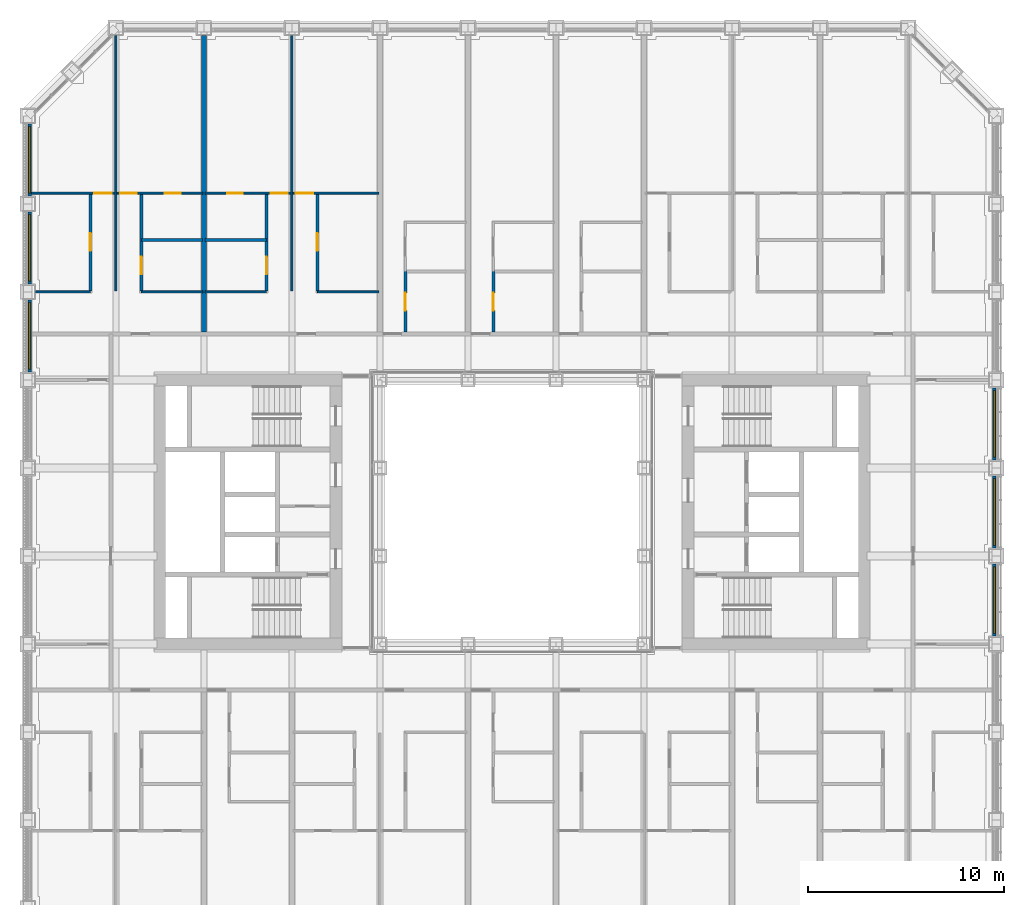
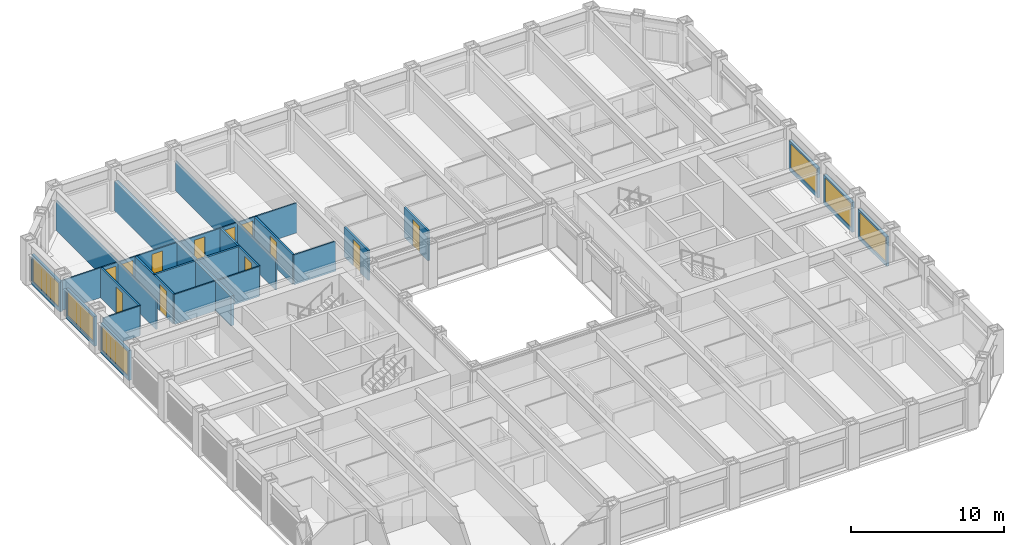
# One storey, part 13 of 21: 25 walls, 12 doors, 6 windows, 18 openings.
"""IFC4 building model written with IfcOpenShell, lengths in metres."""

from ifc_helpers import new_model, si_unit, direction, frame, frame_2d, origin, place, context, subcontext, project, spatial, rectangle, extrude, material, layer, layer_set, type_object, element, fill, save


model = new_model("IFC4")

# Units and contexts
model_context = context("Model", 3, precision=1e-05, world=origin(), true_north=direction((0.0, 1.0)))
body_context = subcontext(model_context, "Body", "Model", "MODEL_VIEW")
ifc_project = project(units=[si_unit("LENGTHUNIT", "METRE"), si_unit("AREAUNIT", "SQUARE_METRE"), si_unit("VOLUMEUNIT", "CUBIC_METRE"), si_unit("PLANEANGLEUNIT", "RADIAN"), si_unit("MASSUNIT", "GRAM", prefix="KILO")], contexts=[model_context])

# Site, building, storey
site_placement = place(None, origin())
site = spatial("IfcSite", under=ifc_project, at=site_placement, CompositionType="ELEMENT")
building_placement = place(site_placement, origin())
building = spatial("IfcBuilding", under=site, at=building_placement, Name="Msasa Ring Tower", CompositionType="ELEMENT")
storey_placement = place(building_placement, frame((0.0, 0.0, 40.5)))
storey = spatial("IfcBuildingStorey", under=building, at=storey_placement, Name="L09", CompositionType="ELEMENT", Elevation=40.5)

# Wall, opening, window
ifc_material_1 = material(Name="Terracotta rainscreen on blockwork", Category="masonry")
ifc_layer_1 = layer(ifc_material_1, 0.199951171875)
ifc_layer_set_1 = layer_set([ifc_layer_1], Name="FW1 TERRACOTTA-LINED INFILL BAY WALL 200")
wall_type_1 = type_object("IfcWallType", Name="FW1 TERRACOTTA-LINED INFILL BAY WALL 200", PredefinedType="SOLIDWALL", material=ifc_layer_set_1)
wall_1_placement = place(storey_placement, frame((24.64990234375, -6.344970703125, 0.0), z_axis=(0.0, 0.0, 1.0), x_axis=(0.0, 1.0, 0.0)))
wall_1 = element("IfcWall", 1, at=wall_1_placement, inside=storey, type_object=wall_type_1, Name="Infill bay wall E L09 14", PredefinedType="SOLIDWALL", context=body_context, shape_type="SweptSolid", body=[
    extrude(rectangle(XDim=3.68994140625, YDim=0.199951171875, at=frame_2d((1.844970703125, 0.0))), origin(), (0.0, 0.0, 1.0), 2.37890625),
])
opening_1_placement = place(wall_1_placement, frame((0.14501953125, 0.0, 0.300048828125)))
opening_1 = element("IfcOpeningElement", 2, at=opening_1_placement, cuts=wall_1, Name="Opening WN1", PredefinedType="OPENING", context=body_context, shape_type="SweptSolid", body=[
    extrude(rectangle(XDim=3.39990234375, YDim=1.928955078125, at=frame_2d((1.699951171875, 0.96435546875))), frame((0.0, 0.10986328125, 0.0), z_axis=(0.0, -1.0, 0.0), x_axis=(1.0, 0.0, 0.0)), (0.0, 0.0, 1.0), 0.219970703125),
])
ifc_material_2 = material(Name="Aluminium frame with clear glass", Category="aluminium")
window_type = type_object("IfcWindowType", Name="WN1 RESIDENCE WINDOW 3400x1929", PartitioningType="SINGLE_PANEL", PredefinedType="WINDOW", material=ifc_material_2)
window_1_placement = place(opening_1_placement, origin())
window_1 = element("IfcWindow", 3, at=window_1_placement, inside=storey, type_object=window_type, Name="Window E L09 14", OverallHeight=1.928955078125, OverallWidth=3.39990234375, PartitioningType="SINGLE_PANEL", PredefinedType="WINDOW", context=body_context, shape_type="SweptSolid", body=[
    extrude(rectangle(XDim=3.39990234375, YDim=1.928955078125, at=frame_2d((1.699951171875, 0.96435546875))), frame((0.0, 0.030029296875, 0.0), z_axis=(0.0, -1.0, 0.0), x_axis=(1.0, 0.0, 0.0)), (0.0, 0.0, 1.0), 0.06005859375),
])
fill(opening_1, window_1)

wall_2_placement = place(storey_placement, frame((24.64990234375, -1.844970703125, 0.0), z_axis=(0.0, 0.0, 1.0), x_axis=(0.0, 1.0, 0.0)))
wall_2 = element("IfcWall", 4, at=wall_2_placement, inside=storey, type_object=wall_type_1, Name="Infill bay wall E L09 15", PredefinedType="SOLIDWALL", context=body_context, shape_type="SweptSolid", body=[
    extrude(rectangle(XDim=3.68994140625, YDim=0.199951171875, at=frame_2d((1.844970703125, 0.0))), origin(), (0.0, 0.0, 1.0), 2.37890625),
])
opening_2_placement = place(wall_2_placement, frame((0.14501953125, 0.0, 0.300048828125)))
opening_2 = element("IfcOpeningElement", 5, at=opening_2_placement, cuts=wall_2, Name="Opening WN1", PredefinedType="OPENING", context=body_context, shape_type="SweptSolid", body=[
    extrude(rectangle(XDim=3.39990234375, YDim=1.928955078125, at=frame_2d((1.699951171875, 0.96435546875))), frame((0.0, 0.10986328125, 0.0), z_axis=(0.0, -1.0, 0.0), x_axis=(1.0, 0.0, 0.0)), (0.0, 0.0, 1.0), 0.219970703125),
])
window_2_placement = place(opening_2_placement, origin())
window_2 = element("IfcWindow", 6, at=window_2_placement, inside=storey, type_object=window_type, Name="Window E L09 15", OverallHeight=1.928955078125, OverallWidth=3.39990234375, PartitioningType="SINGLE_PANEL", PredefinedType="WINDOW", context=body_context, shape_type="SweptSolid", body=[
    extrude(rectangle(XDim=3.39990234375, YDim=1.928955078125, at=frame_2d((1.699951171875, 0.96435546875))), frame((0.0, 0.030029296875, 0.0), z_axis=(0.0, -1.0, 0.0), x_axis=(1.0, 0.0, 0.0)), (0.0, 0.0, 1.0), 0.06005859375),
])
fill(opening_2, window_2)

wall_3_placement = place(storey_placement, frame((24.64990234375, 2.655029296875, 0.0), z_axis=(0.0, 0.0, 1.0), x_axis=(0.0, 1.0, 0.0)))
wall_3 = element("IfcWall", 7, at=wall_3_placement, inside=storey, type_object=wall_type_1, Name="Infill bay wall E L09 16", PredefinedType="SOLIDWALL", context=body_context, shape_type="SweptSolid", body=[
    extrude(rectangle(XDim=3.68994140625, YDim=0.199951171875, at=frame_2d((1.844970703125, 0.0))), origin(), (0.0, 0.0, 1.0), 2.37890625),
])
opening_3_placement = place(wall_3_placement, frame((0.14501953125, 0.0, 0.300048828125)))
opening_3 = element("IfcOpeningElement", 8, at=opening_3_placement, cuts=wall_3, Name="Opening WN1", PredefinedType="OPENING", context=body_context, shape_type="SweptSolid", body=[
    extrude(rectangle(XDim=3.39990234375, YDim=1.928955078125, at=frame_2d((1.699951171875, 0.96435546875))), frame((0.0, 0.10986328125, 0.0), z_axis=(0.0, -1.0, 0.0), x_axis=(1.0, 0.0, 0.0)), (0.0, 0.0, 1.0), 0.219970703125),
])
window_3_placement = place(opening_3_placement, origin())
window_3 = element("IfcWindow", 9, at=window_3_placement, inside=storey, type_object=window_type, Name="Window E L09 16", OverallHeight=1.928955078125, OverallWidth=3.39990234375, PartitioningType="SINGLE_PANEL", PredefinedType="WINDOW", context=body_context, shape_type="SweptSolid", body=[
    extrude(rectangle(XDim=3.39990234375, YDim=1.928955078125, at=frame_2d((1.699951171875, 0.96435546875))), frame((0.0, 0.030029296875, 0.0), z_axis=(0.0, -1.0, 0.0), x_axis=(1.0, 0.0, 0.0)), (0.0, 0.0, 1.0), 0.06005859375),
])
fill(opening_3, window_3)

wall_4_placement = place(storey_placement, frame((-24.64990234375, 7.155029296875, 0.0), z_axis=(0.0, 0.0, 1.0), x_axis=(0.0, 1.0, 0.0)))
wall_4 = element("IfcWall", 10, at=wall_4_placement, inside=storey, type_object=wall_type_1, Name="Infill bay wall W L09 39", PredefinedType="SOLIDWALL", context=body_context, shape_type="SweptSolid", body=[
    extrude(rectangle(XDim=3.68994140625, YDim=0.199951171875, at=frame_2d((1.844970703125, 0.0))), origin(), (0.0, 0.0, 1.0), 2.37890625),
])
opening_4_placement = place(wall_4_placement, frame((0.14501953125, 0.0, 0.300048828125)))
opening_4 = element("IfcOpeningElement", 11, at=opening_4_placement, cuts=wall_4, Name="Opening WN1", PredefinedType="OPENING", context=body_context, shape_type="SweptSolid", body=[
    extrude(rectangle(XDim=3.39990234375, YDim=1.928955078125, at=frame_2d((1.699951171875, 0.96435546875))), frame((0.0, 0.10986328125, 0.0), z_axis=(0.0, -1.0, 0.0), x_axis=(1.0, 0.0, 0.0)), (0.0, 0.0, 1.0), 0.219970703125),
])
window_4_placement = place(opening_4_placement, origin())
window_4 = element("IfcWindow", 12, at=window_4_placement, inside=storey, type_object=window_type, Name="Window W L09 39", OverallHeight=1.928955078125, OverallWidth=3.39990234375, PartitioningType="SINGLE_PANEL", PredefinedType="WINDOW", context=body_context, shape_type="SweptSolid", body=[
    extrude(rectangle(XDim=3.39990234375, YDim=1.928955078125, at=frame_2d((1.699951171875, 0.96435546875))), frame((0.0, 0.030029296875, 0.0), z_axis=(0.0, -1.0, 0.0), x_axis=(1.0, 0.0, 0.0)), (0.0, 0.0, 1.0), 0.06005859375),
])
fill(opening_4, window_4)

wall_5_placement = place(storey_placement, frame((-24.64990234375, 11.655029296875, 0.0), z_axis=(0.0, 0.0, 1.0), x_axis=(0.0, 1.0, 0.0)))
wall_5 = element("IfcWall", 13, at=wall_5_placement, inside=storey, type_object=wall_type_1, Name="Infill bay wall W L09 40", PredefinedType="SOLIDWALL", context=body_context, shape_type="SweptSolid", body=[
    extrude(rectangle(XDim=3.68994140625, YDim=0.199951171875, at=frame_2d((1.844970703125, 0.0))), origin(), (0.0, 0.0, 1.0), 2.37890625),
])
opening_5_placement = place(wall_5_placement, frame((0.14501953125, 0.0, 0.300048828125)))
opening_5 = element("IfcOpeningElement", 14, at=opening_5_placement, cuts=wall_5, Name="Opening WN1", PredefinedType="OPENING", context=body_context, shape_type="SweptSolid", body=[
    extrude(rectangle(XDim=3.39990234375, YDim=1.928955078125, at=frame_2d((1.699951171875, 0.96435546875))), frame((0.0, 0.10986328125, 0.0), z_axis=(0.0, -1.0, 0.0), x_axis=(1.0, 0.0, 0.0)), (0.0, 0.0, 1.0), 0.219970703125),
])
window_5_placement = place(opening_5_placement, origin())
window_5 = element("IfcWindow", 15, at=window_5_placement, inside=storey, type_object=window_type, Name="Window W L09 40", OverallHeight=1.928955078125, OverallWidth=3.39990234375, PartitioningType="SINGLE_PANEL", PredefinedType="WINDOW", context=body_context, shape_type="SweptSolid", body=[
    extrude(rectangle(XDim=3.39990234375, YDim=1.928955078125, at=frame_2d((1.699951171875, 0.96435546875))), frame((0.0, 0.030029296875, 0.0), z_axis=(0.0, -1.0, 0.0), x_axis=(1.0, 0.0, 0.0)), (0.0, 0.0, 1.0), 0.06005859375),
])
fill(opening_5, window_5)

wall_6_placement = place(storey_placement, frame((-24.64990234375, 16.155029296875, 0.0), z_axis=(0.0, 0.0, 1.0), x_axis=(0.0, 1.0, 0.0)))
wall_6 = element("IfcWall", 16, at=wall_6_placement, inside=storey, type_object=wall_type_1, Name="Infill bay wall W L09 41", PredefinedType="SOLIDWALL", context=body_context, shape_type="SweptSolid", body=[
    extrude(rectangle(XDim=3.68994140625, YDim=0.199951171875, at=frame_2d((1.844970703125, 0.0))), origin(), (0.0, 0.0, 1.0), 2.37890625),
])
opening_6_placement = place(wall_6_placement, frame((0.14501953125, 0.0, 0.300048828125)))
opening_6 = element("IfcOpeningElement", 17, at=opening_6_placement, cuts=wall_6, Name="Opening WN1", PredefinedType="OPENING", context=body_context, shape_type="SweptSolid", body=[
    extrude(rectangle(XDim=3.39990234375, YDim=1.928955078125, at=frame_2d((1.699951171875, 0.96435546875))), frame((0.0, 0.10986328125, 0.0), z_axis=(0.0, -1.0, 0.0), x_axis=(1.0, 0.0, 0.0)), (0.0, 0.0, 1.0), 0.219970703125),
])
window_6_placement = place(opening_6_placement, origin())
window_6 = element("IfcWindow", 18, at=window_6_placement, inside=storey, type_object=window_type, Name="Window W L09 41", OverallHeight=1.928955078125, OverallWidth=3.39990234375, PartitioningType="SINGLE_PANEL", PredefinedType="WINDOW", context=body_context, shape_type="SweptSolid", body=[
    extrude(rectangle(XDim=3.39990234375, YDim=1.928955078125, at=frame_2d((1.699951171875, 0.96435546875))), frame((0.0, 0.030029296875, 0.0), z_axis=(0.0, -1.0, 0.0), x_axis=(1.0, 0.0, 0.0)), (0.0, 0.0, 1.0), 0.06005859375),
])
fill(opening_6, window_6)

# Wall
ifc_material_3 = material(Name="Gypsum board on steel studs", Category="steel")
ifc_layer_2 = layer(ifc_material_3, 0.10009765625)
ifc_layer_set_2 = layer_set([ifc_layer_2], Name="PT2 STUD PARTITION 100")
wall_type_2 = type_object("IfcWallType", Name="PT2 STUD PARTITION 100", PredefinedType="PARTITIONING", material=ifc_layer_set_2)
wall_7_placement = place(storey_placement, frame((-24.35009765625, 11.25, 0.0), z_axis=(0.0, 0.0, 1.0), x_axis=(1.0, 0.0, 0.0)))
element("IfcWall", 19, at=wall_7_placement, inside=storey, type_object=wall_type_2, Name="Partition L09-UN00HY0", PredefinedType="PARTITIONING", context=body_context, shape_type="SweptSolid", body=[
    extrude(rectangle(XDim=2.800048828125, YDim=0.10009765625, at=frame_2d((1.39990234375, 0.0))), origin(), (0.0, 0.0, 1.0), 2.373291015625),
])

# Wall, opening, door
wall_8_placement = place(storey_placement, frame((-24.550048828125, 16.300048828125, 0.0), z_axis=(0.0, 0.0, 1.0), x_axis=(1.0, 0.0, 0.0)))
wall_8 = element("IfcWall", 20, at=wall_8_placement, inside=storey, type_object=wall_type_2, Name="Partition L09-UN00SY0", PredefinedType="PARTITIONING", context=body_context, shape_type="SweptSolid", body=[
    extrude(rectangle(XDim=4.25, YDim=0.10009765625, at=frame_2d((2.125, 0.0))), origin(), (0.0, 0.0, 1.0), 2.373291015625),
])
opening_7_placement = place(wall_8_placement, frame((3.199951171875, 0.0, 0.0)))
opening_7 = element("IfcOpeningElement", 21, at=opening_7_placement, cuts=wall_8, Name="Opening RB-001", PredefinedType="OPENING", context=body_context, shape_type="SweptSolid", body=[
    extrude(rectangle(XDim=0.89990234375, YDim=2.10009765625, at=frame_2d((0.449951171875, 1.050048828125))), frame((0.0, 0.06005859375, 0.0), z_axis=(0.0, -1.0, 0.0), x_axis=(1.0, 0.0, 0.0)), (0.0, 0.0, 1.0), 0.1201171875),
])
ifc_material_4 = material(Name="Timber door leaf in a steel frame", Category="steel")
door_type_1 = type_object("IfcDoorType", Name="D22 INTERNAL HALL DOOR 900x2100", OperationType="SINGLE_SWING_LEFT", PredefinedType="DOOR", material=ifc_material_4)
door_1_placement = place(opening_7_placement, origin())
door_1 = element("IfcDoor", 22, at=door_1_placement, inside=storey, type_object=door_type_1, Name="Door L09-UN00L", OperationType="SINGLE_SWING_RIGHT", OverallHeight=2.10009765625, OverallWidth=0.89990234375, PredefinedType="DOOR", context=body_context, shape_type="SweptSolid", body=[
    extrude(rectangle(XDim=0.89990234375, YDim=2.10009765625, at=frame_2d((0.449951171875, 1.050048828125))), frame((0.0, 0.02490234375, 0.0), z_axis=(0.0, -1.0, 0.0), x_axis=(1.0, 0.0, 0.0)), (0.0, 0.0, 1.0), 0.050048828125),
])
fill(opening_7, door_1)

# Walls
wall_9_placement = place(storey_placement, frame((-20.25, 11.300048828125, 0.0), z_axis=(0.0, 0.0, 1.0), x_axis=(0.0, 1.0, 0.0)))
element("IfcWall", 23, at=wall_9_placement, inside=storey, type_object=wall_type_2, Name="Partition L09-UN00P1", PredefinedType="PARTITIONING", context=body_context, shape_type="SweptSolid", body=[
    extrude(rectangle(XDim=13.050048828125, YDim=0.10009765625, at=frame_2d((6.52490234375, 0.0))), origin(), (0.0, 0.0, 1.0), 2.373291015625),
])
wall_10_placement = place(storey_placement, frame((-18.949951171875, 11.25, 0.0), z_axis=(0.0, 0.0, 1.0), x_axis=(1.0, 0.0, 0.0)))
element("IfcWall", 24, at=wall_10_placement, inside=storey, type_object=wall_type_2, Name="Partition L09-UN00HY1", PredefinedType="PARTITIONING", context=body_context, shape_type="SweptSolid", body=[
    extrude(rectangle(XDim=3.139892578125, YDim=0.10009765625, at=frame_2d((1.56982421875, 0.0))), origin(), (0.0, 0.0, 1.0), 2.373291015625),
])

# Wall, openings, doors
wall_11_placement = place(storey_placement, frame((-20.199951171875, 16.300048828125, 0.0), z_axis=(0.0, 0.0, 1.0), x_axis=(1.0, 0.0, 0.0)))
wall_11 = element("IfcWall", 25, at=wall_11_placement, inside=storey, type_object=wall_type_2, Name="Partition L09-UN00SY1", PredefinedType="PARTITIONING", context=body_context, shape_type="SweptSolid", body=[
    extrude(rectangle(XDim=4.389892578125, YDim=0.10009765625, at=frame_2d((2.19482421875, 0.0))), origin(), (0.0, 0.0, 1.0), 2.373291015625),
])
opening_8_placement = place(wall_11_placement, frame((0.175048828125, 0.0, 0.0)))
opening_8 = element("IfcOpeningElement", 26, at=opening_8_placement, cuts=wall_11, Name="Opening RB-002", PredefinedType="OPENING", context=body_context, shape_type="SweptSolid", body=[
    extrude(rectangle(XDim=0.85009765625, YDim=2.10009765625, at=frame_2d((0.425048828125, 1.050048828125))), frame((0.0, 0.06005859375, 0.0), z_axis=(0.0, -1.0, 0.0), x_axis=(1.0, 0.0, 0.0)), (0.0, 0.0, 1.0), 0.1201171875),
])
opening_9_placement = place(wall_11_placement, frame((2.4599609375, 0.0, 0.0)))
opening_9 = element("IfcOpeningElement", 27, at=opening_9_placement, cuts=wall_11, Name="Opening RB-003", PredefinedType="OPENING", context=body_context, shape_type="SweptSolid", body=[
    extrude(rectangle(XDim=0.800048828125, YDim=2.10009765625, at=frame_2d((0.39990234375, 1.050048828125))), frame((0.0, 0.06005859375, 0.0), z_axis=(0.0, -1.0, 0.0), x_axis=(1.0, 0.0, 0.0)), (0.0, 0.0, 1.0), 0.1201171875),
])
ifc_material_5 = material(Name="Timber door leaf in a steel frame", Category="steel")
door_type_2 = type_object("IfcDoorType", Name="D14 BEDROOM DOOR 850x2100", OperationType="SINGLE_SWING_LEFT", PredefinedType="DOOR", material=ifc_material_5)
door_2_placement = place(opening_8_placement, origin())
door_2 = element("IfcDoor", 28, at=door_2_placement, inside=storey, type_object=door_type_2, Name="Door L09-UN00R1", OperationType="SINGLE_SWING_LEFT", OverallHeight=2.10009765625, OverallWidth=0.85009765625, PredefinedType="DOOR", context=body_context, shape_type="SweptSolid", body=[
    extrude(rectangle(XDim=0.85009765625, YDim=2.10009765625, at=frame_2d((0.425048828125, 1.050048828125))), frame((0.0, 0.02490234375, 0.0), z_axis=(0.0, -1.0, 0.0), x_axis=(1.0, 0.0, 0.0)), (0.0, 0.0, 1.0), 0.050048828125),
])
fill(opening_8, door_2)
ifc_material_6 = material(Name="Timber door leaf in a steel frame", Category="steel")
door_type_3 = type_object("IfcDoorType", Name="D60 DRESSING ROOM DOOR 800x2100", OperationType="SINGLE_SWING_LEFT", PredefinedType="DOOR", material=ifc_material_6)
door_3_placement = place(opening_9_placement, origin())
door_3 = element("IfcDoor", 29, at=door_3_placement, inside=storey, type_object=door_type_3, Name="Door L09-UN00W1", OperationType="SINGLE_SWING_RIGHT", OverallHeight=2.10009765625, OverallWidth=0.800048828125, PredefinedType="DOOR", context=body_context, shape_type="SweptSolid", body=[
    extrude(rectangle(XDim=0.800048828125, YDim=2.10009765625, at=frame_2d((0.39990234375, 1.050048828125))), frame((0.0, 0.02490234375, 0.0), z_axis=(0.0, -1.0, 0.0), x_axis=(1.0, 0.0, 0.0)), (0.0, 0.0, 1.0), 0.050048828125),
])
fill(opening_9, door_3)

# Wall
wall_12_placement = place(storey_placement, frame((-9.949951171875, 11.25, 0.0), z_axis=(0.0, 0.0, 1.0), x_axis=(1.0, 0.0, 0.0)))
element("IfcWall", 30, at=wall_12_placement, inside=storey, type_object=wall_type_2, Name="Partition L09-UN01HY0", PredefinedType="PARTITIONING", context=body_context, shape_type="SweptSolid", body=[
    extrude(rectangle(XDim=3.139892578125, YDim=0.10009765625, at=frame_2d((1.56982421875, 0.0))), origin(), (0.0, 0.0, 1.0), 2.373291015625),
])

# Wall, opening, door
wall_13_placement = place(storey_placement, frame((-11.199951171875, 16.300048828125, 0.0), z_axis=(0.0, 0.0, 1.0), x_axis=(1.0, 0.0, 0.0)))
wall_13 = element("IfcWall", 31, at=wall_13_placement, inside=storey, type_object=wall_type_2, Name="Partition L09-UN01SY0", PredefinedType="PARTITIONING", context=body_context, shape_type="SweptSolid", body=[
    extrude(rectangle(XDim=4.389892578125, YDim=0.10009765625, at=frame_2d((2.19482421875, 0.0))), origin(), (0.0, 0.0, 1.0), 2.373291015625),
])
opening_10_placement = place(wall_13_placement, frame((0.14990234375, 0.0, 0.0)))
opening_10 = element("IfcOpeningElement", 32, at=opening_10_placement, cuts=wall_13, Name="Opening RB-006", PredefinedType="OPENING", context=body_context, shape_type="SweptSolid", body=[
    extrude(rectangle(XDim=0.89990234375, YDim=2.10009765625, at=frame_2d((0.449951171875, 1.050048828125))), frame((0.0, 0.06005859375, 0.0), z_axis=(0.0, -1.0, 0.0), x_axis=(1.0, 0.0, 0.0)), (0.0, 0.0, 1.0), 0.1201171875),
])
door_4_placement = place(opening_10_placement, origin())
door_4 = element("IfcDoor", 33, at=door_4_placement, inside=storey, type_object=door_type_1, Name="Door L09-UN01L", OperationType="SINGLE_SWING_LEFT", OverallHeight=2.10009765625, OverallWidth=0.89990234375, PredefinedType="DOOR", context=body_context, shape_type="SweptSolid", body=[
    extrude(rectangle(XDim=0.89990234375, YDim=2.10009765625, at=frame_2d((0.449951171875, 1.050048828125))), frame((0.0, 0.02490234375, 0.0), z_axis=(0.0, -1.0, 0.0), x_axis=(1.0, 0.0, 0.0)), (0.0, 0.0, 1.0), 0.050048828125),
])
fill(opening_10, door_4)

# Walls
wall_14_placement = place(storey_placement, frame((-11.25, 11.300048828125, 0.0), z_axis=(0.0, 0.0, 1.0), x_axis=(0.0, 1.0, 0.0)))
element("IfcWall", 34, at=wall_14_placement, inside=storey, type_object=wall_type_2, Name="Partition L09-UN01P1", PredefinedType="PARTITIONING", context=body_context, shape_type="SweptSolid", body=[
    extrude(rectangle(XDim=13.050048828125, YDim=0.10009765625, at=frame_2d((6.52490234375, 0.0))), origin(), (0.0, 0.0, 1.0), 2.373291015625),
])
wall_15_placement = place(storey_placement, frame((-15.68994140625, 11.25, 0.0), z_axis=(0.0, 0.0, 1.0), x_axis=(1.0, 0.0, 0.0)))
element("IfcWall", 35, at=wall_15_placement, inside=storey, type_object=wall_type_2, Name="Partition L09-UN01HY1", PredefinedType="PARTITIONING", context=body_context, shape_type="SweptSolid", body=[
    extrude(rectangle(XDim=3.139892578125, YDim=0.10009765625, at=frame_2d((1.56982421875, 0.0))), origin(), (0.0, 0.0, 1.0), 2.373291015625),
])

# Wall, openings, doors
wall_16_placement = place(storey_placement, frame((-15.68994140625, 16.300048828125, 0.0), z_axis=(0.0, 0.0, 1.0), x_axis=(1.0, 0.0, 0.0)))
wall_16 = element("IfcWall", 36, at=wall_16_placement, inside=storey, type_object=wall_type_2, Name="Partition L09-UN01SY1", PredefinedType="PARTITIONING", context=body_context, shape_type="SweptSolid", body=[
    extrude(rectangle(XDim=4.389892578125, YDim=0.10009765625, at=frame_2d((2.19482421875, 0.0))), origin(), (0.0, 0.0, 1.0), 2.373291015625),
])
opening_11_placement = place(wall_16_placement, frame((3.364990234375, 0.0, 0.0)))
opening_11 = element("IfcOpeningElement", 37, at=opening_11_placement, cuts=wall_16, Name="Opening RB-005", PredefinedType="OPENING", context=body_context, shape_type="SweptSolid", body=[
    extrude(rectangle(XDim=0.85009765625, YDim=2.10009765625, at=frame_2d((0.425048828125, 1.050048828125))), frame((0.0, 0.06005859375, 0.0), z_axis=(0.0, -1.0, 0.0), x_axis=(1.0, 0.0, 0.0)), (0.0, 0.0, 1.0), 0.1201171875),
])
opening_12_placement = place(wall_16_placement, frame((1.1298828125, 0.0, 0.0)))
opening_12 = element("IfcOpeningElement", 38, at=opening_12_placement, cuts=wall_16, Name="Opening RB-004", PredefinedType="OPENING", context=body_context, shape_type="SweptSolid", body=[
    extrude(rectangle(XDim=0.800048828125, YDim=2.10009765625, at=frame_2d((0.39990234375, 1.050048828125))), frame((0.0, 0.06005859375, 0.0), z_axis=(0.0, -1.0, 0.0), x_axis=(1.0, 0.0, 0.0)), (0.0, 0.0, 1.0), 0.1201171875),
])
door_5_placement = place(opening_11_placement, origin())
door_5 = element("IfcDoor", 39, at=door_5_placement, inside=storey, type_object=door_type_2, Name="Door L09-UN01R1", OperationType="SINGLE_SWING_RIGHT", OverallHeight=2.10009765625, OverallWidth=0.85009765625, PredefinedType="DOOR", context=body_context, shape_type="SweptSolid", body=[
    extrude(rectangle(XDim=0.85009765625, YDim=2.10009765625, at=frame_2d((0.425048828125, 1.050048828125))), frame((0.0, 0.02490234375, 0.0), z_axis=(0.0, -1.0, 0.0), x_axis=(1.0, 0.0, 0.0)), (0.0, 0.0, 1.0), 0.050048828125),
])
fill(opening_11, door_5)
door_6_placement = place(opening_12_placement, origin())
door_6 = element("IfcDoor", 40, at=door_6_placement, inside=storey, type_object=door_type_3, Name="Door L09-UN01W1", OperationType="SINGLE_SWING_LEFT", OverallHeight=2.10009765625, OverallWidth=0.800048828125, PredefinedType="DOOR", context=body_context, shape_type="SweptSolid", body=[
    extrude(rectangle(XDim=0.800048828125, YDim=2.10009765625, at=frame_2d((0.39990234375, 1.050048828125))), frame((0.0, 0.02490234375, 0.0), z_axis=(0.0, -1.0, 0.0), x_axis=(1.0, 0.0, 0.0)), (0.0, 0.0, 1.0), 0.050048828125),
])
fill(opening_12, door_6)

# Wall
ifc_material_7 = material(Name="Dense concrete blockwork, plastered both faces", Category="masonry")
ifc_layer_3 = layer(ifc_material_7, 0.25)
ifc_layer_set_3 = layer_set([ifc_layer_3], Name="PT3 APARTMENT SEPARATING WALL 250")
wall_type_3 = type_object("IfcWallType", Name="PT3 APARTMENT SEPARATING WALL 250", PredefinedType="PARTITIONING", material=ifc_layer_set_3)
wall_17_placement = place(storey_placement, frame((-15.75, 9.199951171875, 0.0), z_axis=(0.0, 0.0, 1.0), x_axis=(0.0, 1.0, 0.0)))
element("IfcWall", 41, at=wall_17_placement, inside=storey, type_object=wall_type_3, Name="Party wall L09-PWN-15.75", PredefinedType="PARTITIONING", context=body_context, shape_type="SweptSolid", body=[
    extrude(rectangle(XDim=15.150146484375, YDim=0.25, at=frame_2d((7.5751953125, 0.0))), origin(), (0.0, 0.0, 1.0), 2.373291015625),
])

# Wall, opening, door
ifc_material_8 = material(Name="Moisture-resistant board on steel studs with a concealed cistern and pipe void, tiled", Category="steel")
ifc_layer_4 = layer(ifc_material_8, 0.14990234375)
ifc_layer_set_4 = layer_set([ifc_layer_4], Name="PT4 BATHROOM WET WALL 150")
wall_type_4 = type_object("IfcWallType", Name="PT4 BATHROOM WET WALL 150", PredefinedType="PARTITIONING", material=ifc_layer_set_4)
wall_18_placement = place(storey_placement, frame((-21.550048828125, 11.300048828125, 0.0), z_axis=(0.0, 0.0, 1.0), x_axis=(0.0, 1.0, 0.0)))
wall_18 = element("IfcWall", 42, at=wall_18_placement, inside=storey, type_object=wall_type_4, Name="Partition L09-UN00SX0", PredefinedType="PARTITIONING", context=body_context, shape_type="SweptSolid", body=[
    extrude(rectangle(XDim=5.0, YDim=0.14990234375, at=frame_2d((2.5, 0.0))), origin(), (0.0, 0.0, 1.0), 2.373291015625),
])
opening_13_placement = place(wall_18_placement, frame((2.050048828125, 0.0, 0.0)))
opening_13 = element("IfcOpeningElement", 43, at=opening_13_placement, cuts=wall_18, Name="Opening RB-013", PredefinedType="OPENING", context=body_context, shape_type="SweptSolid", body=[
    extrude(rectangle(XDim=0.89990234375, YDim=2.10009765625, at=frame_2d((0.449951171875, 1.050048828125))), frame((0.0, 0.0849609375, 0.0), z_axis=(0.0, -1.0, 0.0), x_axis=(1.0, 0.0, 0.0)), (0.0, 0.0, 1.0), 0.169921875),
])
door_7_placement = place(opening_13_placement, origin())
door_7 = element("IfcDoor", 44, at=door_7_placement, inside=storey, type_object=door_type_1, Name="Door L09-UN00K", OperationType="SINGLE_SWING_LEFT", OverallHeight=2.10009765625, OverallWidth=0.89990234375, PredefinedType="DOOR", context=body_context, shape_type="SweptSolid", body=[
    extrude(rectangle(XDim=0.89990234375, YDim=2.10009765625, at=frame_2d((0.449951171875, 1.050048828125))), frame((0.0, 0.02490234375, 0.0), z_axis=(0.0, -1.0, 0.0), x_axis=(1.0, 0.0, 0.0)), (0.0, 0.0, 1.0), 0.050048828125),
])
fill(opening_13, door_7)

wall_19_placement = place(storey_placement, frame((-18.949951171875, 11.300048828125, 0.0), z_axis=(0.0, 0.0, 1.0), x_axis=(0.0, 1.0, 0.0)))
wall_19 = element("IfcWall", 45, at=wall_19_placement, inside=storey, type_object=wall_type_4, Name="Partition L09-UN00SX1", PredefinedType="PARTITIONING", context=body_context, shape_type="SweptSolid", body=[
    extrude(rectangle(XDim=5.0, YDim=0.14990234375, at=frame_2d((2.5, 0.0))), origin(), (0.0, 0.0, 1.0), 2.373291015625),
])
opening_14_placement = place(wall_19_placement, frame((0.85009765625, 0.0, 0.0)))
opening_14 = element("IfcOpeningElement", 46, at=opening_14_placement, cuts=wall_19, Name="Opening RB-020", PredefinedType="OPENING", context=body_context, shape_type="SweptSolid", body=[
    extrude(rectangle(XDim=0.89990234375, YDim=2.10009765625, at=frame_2d((0.449951171875, 1.050048828125))), frame((0.0, 0.0849609375, 0.0), z_axis=(0.0, -1.0, 0.0), x_axis=(1.0, 0.0, 0.0)), (0.0, 0.0, 1.0), 0.169921875),
])
ifc_material_9 = material(Name="Timber door leaf in a steel frame", Category="steel")
door_type_4 = type_object("IfcDoorType", Name="D3 BATHROOM DOOR 900x2100", OperationType="SINGLE_SWING_LEFT", PredefinedType="DOOR", material=ifc_material_9)
door_8_placement = place(opening_14_placement, origin())
door_8 = element("IfcDoor", 47, at=door_8_placement, inside=storey, type_object=door_type_4, Name="Door L09-UN00B1", OperationType="SINGLE_SWING_LEFT", OverallHeight=2.10009765625, OverallWidth=0.89990234375, PredefinedType="DOOR", context=body_context, shape_type="SweptSolid", body=[
    extrude(rectangle(XDim=0.89990234375, YDim=2.10009765625, at=frame_2d((0.449951171875, 1.050048828125))), frame((0.0, 0.02490234375, 0.0), z_axis=(0.0, -1.0, 0.0), x_axis=(1.0, 0.0, 0.0)), (0.0, 0.0, 1.0), 0.050048828125),
])
fill(opening_14, door_8)

# Wall
wall_20_placement = place(storey_placement, frame((-18.949951171875, 13.89990234375, 0.0), z_axis=(0.0, 0.0, 1.0), x_axis=(1.0, 0.0, 0.0)))
element("IfcWall", 48, at=wall_20_placement, inside=storey, type_object=wall_type_4, Name="Partition L09-UN00SB1", PredefinedType="PARTITIONING", context=body_context, shape_type="SweptSolid", body=[
    extrude(rectangle(XDim=3.139892578125, YDim=0.14990234375, at=frame_2d((1.56982421875, 0.0))), origin(), (0.0, 0.0, 1.0), 2.373291015625),
])

# Wall, opening, door
wall_21_placement = place(storey_placement, frame((-9.949951171875, 11.300048828125, 0.0), z_axis=(0.0, 0.0, 1.0), x_axis=(0.0, 1.0, 0.0)))
wall_21 = element("IfcWall", 49, at=wall_21_placement, inside=storey, type_object=wall_type_4, Name="Partition L09-UN01SX0", PredefinedType="PARTITIONING", context=body_context, shape_type="SweptSolid", body=[
    extrude(rectangle(XDim=5.0, YDim=0.14990234375, at=frame_2d((2.5, 0.0))), origin(), (0.0, 0.0, 1.0), 2.373291015625),
])
opening_15_placement = place(wall_21_placement, frame((2.050048828125, 0.0, 0.0)))
opening_15 = element("IfcOpeningElement", 50, at=opening_15_placement, cuts=wall_21, Name="Opening RB-014", PredefinedType="OPENING", context=body_context, shape_type="SweptSolid", body=[
    extrude(rectangle(XDim=0.89990234375, YDim=2.10009765625, at=frame_2d((0.449951171875, 1.050048828125))), frame((0.0, 0.0849609375, 0.0), z_axis=(0.0, -1.0, 0.0), x_axis=(1.0, 0.0, 0.0)), (0.0, 0.0, 1.0), 0.169921875),
])
door_9_placement = place(opening_15_placement, origin())
door_9 = element("IfcDoor", 51, at=door_9_placement, inside=storey, type_object=door_type_1, Name="Door L09-UN01K", OperationType="SINGLE_SWING_LEFT", OverallHeight=2.10009765625, OverallWidth=0.89990234375, PredefinedType="DOOR", context=body_context, shape_type="SweptSolid", body=[
    extrude(rectangle(XDim=0.89990234375, YDim=2.10009765625, at=frame_2d((0.449951171875, 1.050048828125))), frame((0.0, 0.02490234375, 0.0), z_axis=(0.0, -1.0, 0.0), x_axis=(1.0, 0.0, 0.0)), (0.0, 0.0, 1.0), 0.050048828125),
])
fill(opening_15, door_9)

wall_22_placement = place(storey_placement, frame((-12.550048828125, 11.300048828125, 0.0), z_axis=(0.0, 0.0, 1.0), x_axis=(0.0, 1.0, 0.0)))
wall_22 = element("IfcWall", 52, at=wall_22_placement, inside=storey, type_object=wall_type_4, Name="Partition L09-UN01SX1", PredefinedType="PARTITIONING", context=body_context, shape_type="SweptSolid", body=[
    extrude(rectangle(XDim=5.0, YDim=0.14990234375, at=frame_2d((2.5, 0.0))), origin(), (0.0, 0.0, 1.0), 2.373291015625),
])
opening_16_placement = place(wall_22_placement, frame((0.85009765625, 0.0, 0.0)))
opening_16 = element("IfcOpeningElement", 53, at=opening_16_placement, cuts=wall_22, Name="Opening RB-021", PredefinedType="OPENING", context=body_context, shape_type="SweptSolid", body=[
    extrude(rectangle(XDim=0.89990234375, YDim=2.10009765625, at=frame_2d((0.449951171875, 1.050048828125))), frame((0.0, 0.0849609375, 0.0), z_axis=(0.0, -1.0, 0.0), x_axis=(1.0, 0.0, 0.0)), (0.0, 0.0, 1.0), 0.169921875),
])
door_10_placement = place(opening_16_placement, origin())
door_10 = element("IfcDoor", 54, at=door_10_placement, inside=storey, type_object=door_type_4, Name="Door L09-UN01B1", OperationType="SINGLE_SWING_LEFT", OverallHeight=2.10009765625, OverallWidth=0.89990234375, PredefinedType="DOOR", context=body_context, shape_type="SweptSolid", body=[
    extrude(rectangle(XDim=0.89990234375, YDim=2.10009765625, at=frame_2d((0.449951171875, 1.050048828125))), frame((0.0, 0.02490234375, 0.0), z_axis=(0.0, -1.0, 0.0), x_axis=(1.0, 0.0, 0.0)), (0.0, 0.0, 1.0), 0.050048828125),
])
fill(opening_16, door_10)

# Wall
wall_23_placement = place(storey_placement, frame((-15.68994140625, 13.89990234375, 0.0), z_axis=(0.0, 0.0, 1.0), x_axis=(1.0, 0.0, 0.0)))
element("IfcWall", 55, at=wall_23_placement, inside=storey, type_object=wall_type_4, Name="Partition L09-UN01SB1", PredefinedType="PARTITIONING", context=body_context, shape_type="SweptSolid", body=[
    extrude(rectangle(XDim=3.139892578125, YDim=0.14990234375, at=frame_2d((1.56982421875, 0.0))), origin(), (0.0, 0.0, 1.0), 2.373291015625),
])

# Wall, opening, door
wall_24_placement = place(storey_placement, frame((-5.449951171875, 9.199951171875, 0.0), z_axis=(0.0, 0.0, 1.0), x_axis=(0.0, 1.0, 0.0)))
wall_24 = element("IfcWall", 56, at=wall_24_placement, inside=storey, type_object=wall_type_4, Name="Partition L09-UN02BX", PredefinedType="PARTITIONING", context=body_context, shape_type="SweptSolid", body=[
    extrude(rectangle(XDim=3.150146484375, YDim=0.14990234375, at=frame_2d((1.5751953125, 0.0))), origin(), (0.0, 0.0, 1.0), 2.373291015625),
])
opening_17_placement = place(wall_24_placement, frame((1.10009765625, 0.0, 0.0)))
opening_17 = element("IfcOpeningElement", 57, at=opening_17_placement, cuts=wall_24, Name="Opening RB-024", PredefinedType="OPENING", context=body_context, shape_type="SweptSolid", body=[
    extrude(rectangle(XDim=0.89990234375, YDim=2.10009765625, at=frame_2d((0.449951171875, 1.050048828125))), frame((0.0, 0.0849609375, 0.0), z_axis=(0.0, -1.0, 0.0), x_axis=(1.0, 0.0, 0.0)), (0.0, 0.0, 1.0), 0.169921875),
])
door_11_placement = place(opening_17_placement, origin())
door_11 = element("IfcDoor", 58, at=door_11_placement, inside=storey, type_object=door_type_4, Name="Door L09-UN02B", OperationType="SINGLE_SWING_LEFT", OverallHeight=2.10009765625, OverallWidth=0.89990234375, PredefinedType="DOOR", context=body_context, shape_type="SweptSolid", body=[
    extrude(rectangle(XDim=0.89990234375, YDim=2.10009765625, at=frame_2d((0.449951171875, 1.050048828125))), frame((0.0, 0.02490234375, 0.0), z_axis=(0.0, -1.0, 0.0), x_axis=(1.0, 0.0, 0.0)), (0.0, 0.0, 1.0), 0.050048828125),
])
fill(opening_17, door_11)

wall_25_placement = place(storey_placement, frame((-0.949951171875, 9.199951171875, 0.0), z_axis=(0.0, 0.0, 1.0), x_axis=(0.0, 1.0, 0.0)))
wall_25 = element("IfcWall", 59, at=wall_25_placement, inside=storey, type_object=wall_type_4, Name="Partition L09-UN03BX", PredefinedType="PARTITIONING", context=body_context, shape_type="SweptSolid", body=[
    extrude(rectangle(XDim=3.150146484375, YDim=0.14990234375, at=frame_2d((1.5751953125, 0.0))), origin(), (0.0, 0.0, 1.0), 2.373291015625),
])
opening_18_placement = place(wall_25_placement, frame((1.10009765625, 0.0, 0.0)))
opening_18 = element("IfcOpeningElement", 60, at=opening_18_placement, cuts=wall_25, Name="Opening RB-025", PredefinedType="OPENING", context=body_context, shape_type="SweptSolid", body=[
    extrude(rectangle(XDim=0.89990234375, YDim=2.10009765625, at=frame_2d((0.449951171875, 1.050048828125))), frame((0.0, 0.0849609375, 0.0), z_axis=(0.0, -1.0, 0.0), x_axis=(1.0, 0.0, 0.0)), (0.0, 0.0, 1.0), 0.169921875),
])
door_12_placement = place(opening_18_placement, origin())
door_12 = element("IfcDoor", 61, at=door_12_placement, inside=storey, type_object=door_type_4, Name="Door L09-UN03B", OperationType="SINGLE_SWING_LEFT", OverallHeight=2.10009765625, OverallWidth=0.89990234375, PredefinedType="DOOR", context=body_context, shape_type="SweptSolid", body=[
    extrude(rectangle(XDim=0.89990234375, YDim=2.10009765625, at=frame_2d((0.449951171875, 1.050048828125))), frame((0.0, 0.02490234375, 0.0), z_axis=(0.0, -1.0, 0.0), x_axis=(1.0, 0.0, 0.0)), (0.0, 0.0, 1.0), 0.050048828125),
])
fill(opening_18, door_12)

save(model, "model.ifc")
